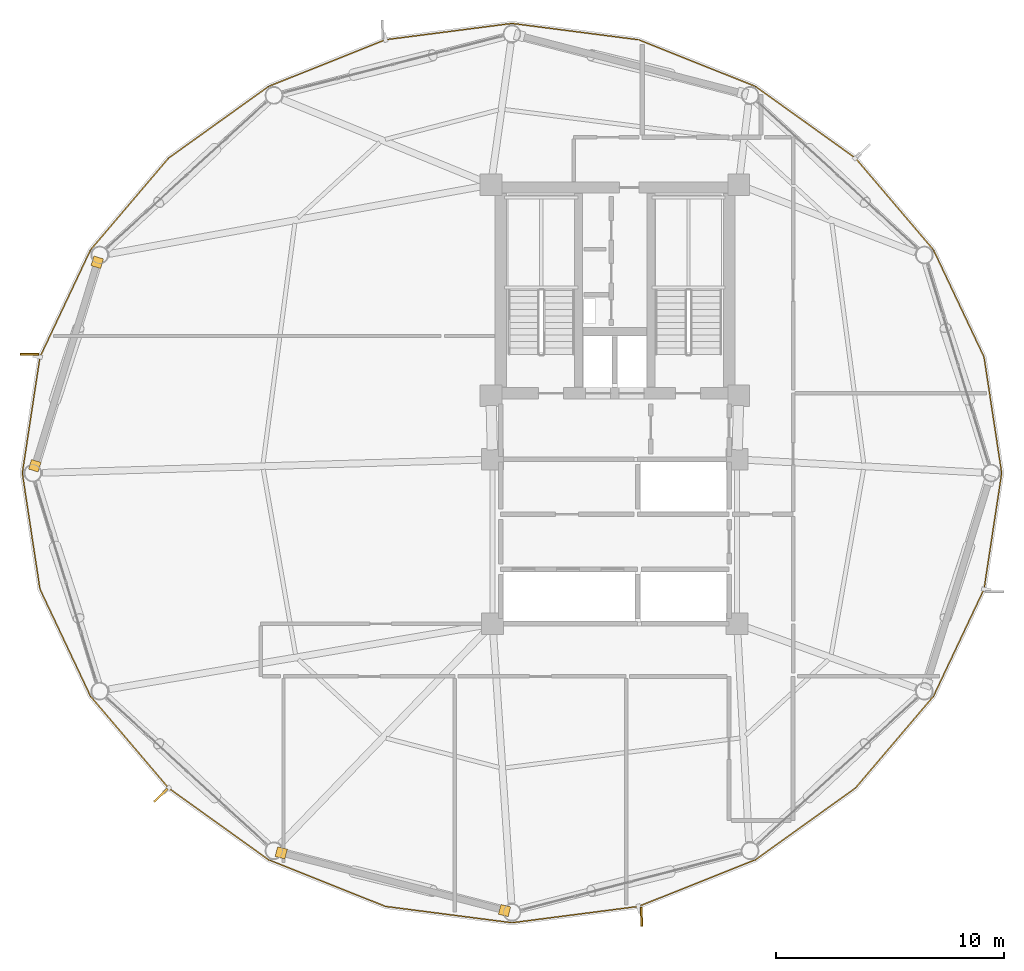
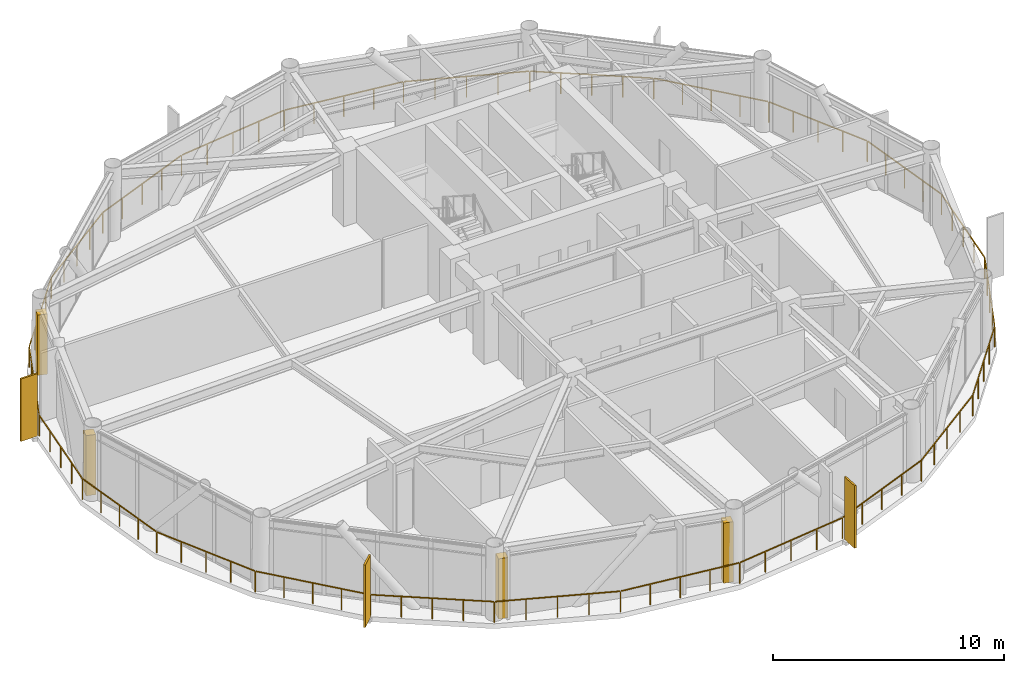
# One storey, part 24 of 26: 4 coverings, 3 shading devices, 1 railing.
"""IFC4 building model written with IfcOpenShell, lengths in metres."""

from ifc_helpers import new_model, si_unit, direction, frame, origin, origin_2d, place, context, subcontext, project, spatial, rectangle, extrude, source, transform, mapped, material, layer, layer_set, type_object, type_shapes, element, save


model = new_model("IFC4")

# Units and contexts
model_context = context("Model", 3, precision=1e-05, world=origin(), true_north=direction((0.0, 1.0)))
body_context = subcontext(model_context, "Body", "Model", "MODEL_VIEW")
ifc_project = project(units=[si_unit("LENGTHUNIT", "METRE"), si_unit("AREAUNIT", "SQUARE_METRE"), si_unit("VOLUMEUNIT", "CUBIC_METRE"), si_unit("PLANEANGLEUNIT", "RADIAN"), si_unit("MASSUNIT", "GRAM", prefix="KILO")], contexts=[model_context])

# Site, building, storey
site_placement = place(None, origin())
site = spatial("IfcSite", under=ifc_project, at=site_placement, CompositionType="ELEMENT")
building_placement = place(site_placement, origin())
building = spatial("IfcBuilding", under=site, at=building_placement, Name="Varnakorn Sky Granary", CompositionType="ELEMENT")
storey_placement = place(building_placement, frame((0.0, 0.0, 138.300048828125)))
storey = spatial("IfcBuildingStorey", under=building, at=storey_placement, Name="L34", CompositionType="ELEMENT", Elevation=138.300048828125)

# Railing
ifc_material = material(Name="Anodised Bronze Aluminium Alloy 6063-T6", Category="aluminium")
railing_type = type_object("IfcRailingType", Name="RL-BAL-1120", PredefinedType="BALUSTRADE", material=ifc_material)
railing_placement = place(storey_placement, frame((19.931884765625, 0.0, 0.0)))
element("IfcRailing", 1, at=railing_placement, inside=storey, type_object=railing_type, Name="Perimeter Slab-Edge Safety Guard L34", PredefinedType="BALUSTRADE", context=body_context, shape_type="SweptSolid", body=[
    extrude(rectangle(XDim=0.048095703125, YDim=0.048095703125, at=origin_2d()), frame((-0.004150390625, -0.027587890625, 1.09619140625), z_axis=(-0.150417762301, -0.988622524923, 0.0), x_axis=(0.988622524923, -0.150417762301, 0.0)), (0.0, 0.0, 1.0), 5.0810546875),
    extrude(rectangle(XDim=0.048095703125, YDim=0.048095703125, at=origin_2d()), frame((-0.78466796875, -5.10400390625, 1.09619140625), z_axis=(-0.426740020684, -0.904374344365, 0.0), x_axis=(0.904374344365, -0.426740020684, 0.0)), (0.0, 0.0, 1.0), 5.129638671875),
    extrude(rectangle(XDim=0.048095703125, YDim=0.048095703125, at=origin_2d()), frame((-3.003662109375, -9.78955078125, 1.09619140625), z_axis=(-0.647712926262, -0.761884482814, 0.0), x_axis=(0.761884482814, -0.647712926262, 0.0)), (0.0, 0.0, 1.0), 5.21728515625),
    extrude(rectangle(XDim=0.048095703125, YDim=0.048095703125, at=origin_2d()), frame((-6.423828125, -13.80224609375, 1.09619140625), z_axis=(-0.812768147694, -0.582587279379, 0.0), x_axis=(0.582587279379, -0.812768147694, 0.0)), (0.0, 0.0, 1.0), 5.333251953125),
    extrude(rectangle(XDim=0.048095703125, YDim=0.048095703125, at=origin_2d()), frame((-10.807373046875, -16.935791015625, 1.09619140625), z_axis=(-0.928821814119, -0.370526702974, 0.0), x_axis=(0.370526702974, -0.928821814119, 0.0)), (0.0, 0.0, 1.0), 5.450439453125),
    extrude(rectangle(XDim=0.048095703125, YDim=0.048095703125, at=origin_2d()), frame((-15.923583984375, -18.969482421875, 1.09619140625), z_axis=(-0.991777508498, -0.127974113153, 0.0), x_axis=(0.127974113153, -0.991777508498, 0.0)), (0.0, 0.0, 1.0), 5.526123046875),
    extrude(rectangle(XDim=0.048095703125, YDim=0.048095703125, at=origin_2d()), frame((-21.459716796875, -19.676513671875, 1.09619140625), z_axis=(-0.991777508498, 0.127974113153, 0.0), x_axis=(-0.127974113153, -0.991777508498, 0.0)), (0.0, 0.0, 1.0), 5.526123046875),
    extrude(rectangle(XDim=0.048095703125, YDim=0.048095703125, at=origin_2d()), frame((-26.994140625, -18.95556640625, 1.09619140625), z_axis=(-0.928821814119, 0.370526702974, 0.0), x_axis=(-0.370526702974, -0.928821814119, 0.0)), (0.0, 0.0, 1.0), 5.450439453125),
    extrude(rectangle(XDim=0.048095703125, YDim=0.048095703125, at=origin_2d()), frame((-32.105224609375, -16.9091796875, 1.09619140625), z_axis=(-0.812768147694, 0.582587279379, 0.0), x_axis=(-0.582587279379, -0.812768147694, 0.0)), (0.0, 0.0, 1.0), 5.333251953125),
    extrude(rectangle(XDim=0.048095703125, YDim=0.048095703125, at=origin_2d()), frame((-36.480712890625, -13.7646484375, 1.09619140625), z_axis=(-0.647712926262, 0.761884482814, 0.0), x_axis=(-0.761884482814, -0.647712926262, 0.0)), (0.0, 0.0, 1.0), 5.21728515625),
    extrude(rectangle(XDim=0.048095703125, YDim=0.048095703125, at=origin_2d()), frame((-39.89013671875, -9.742919921875, 1.09619140625), z_axis=(-0.426740020684, 0.904374344365, 0.0), x_axis=(-0.904374344365, -0.426740020684, 0.0)), (0.0, 0.0, 1.0), 5.129638671875),
    extrude(rectangle(XDim=0.048095703125, YDim=0.048095703125, at=origin_2d()), frame((-42.09521484375, -5.051025390625, 1.09619140625), z_axis=(-0.150417762301, 0.988622524923, 0.0), x_axis=(-0.988622524923, -0.150417762301, 0.0)), (0.0, 0.0, 1.0), 5.0810546875),
    extrude(rectangle(XDim=0.048095703125, YDim=0.048095703125, at=origin_2d()), frame((-42.859619140625, 0.027587890625, 1.09619140625), z_axis=(0.150417762301, 0.988622524923, 0.0), x_axis=(-0.988622524923, 0.150417762301, 0.0)), (0.0, 0.0, 1.0), 5.0810546875),
    extrude(rectangle(XDim=0.048095703125, YDim=0.048095703125, at=origin_2d()), frame((-42.0791015625, 5.10400390625, 1.09619140625), z_axis=(0.426740020684, 0.904374344365, 0.0), x_axis=(-0.904374344365, 0.426740020684, 0.0)), (0.0, 0.0, 1.0), 5.129638671875),
    extrude(rectangle(XDim=0.048095703125, YDim=0.048095703125, at=origin_2d()), frame((-39.860107421875, 9.78955078125, 1.09619140625), z_axis=(0.647712926262, 0.761884482814, 0.0), x_axis=(-0.761884482814, 0.647712926262, 0.0)), (0.0, 0.0, 1.0), 5.21728515625),
    extrude(rectangle(XDim=0.048095703125, YDim=0.048095703125, at=origin_2d()), frame((-36.43994140625, 13.80224609375, 1.09619140625), z_axis=(0.812768147694, 0.582587279379, 0.0), x_axis=(-0.582587279379, 0.812768147694, 0.0)), (0.0, 0.0, 1.0), 5.333251953125),
    extrude(rectangle(XDim=0.048095703125, YDim=0.048095703125, at=origin_2d()), frame((-32.056396484375, 16.935791015625, 1.09619140625), z_axis=(0.928821814119, 0.370526702974, 0.0), x_axis=(-0.370526702974, 0.928821814119, 0.0)), (0.0, 0.0, 1.0), 5.450439453125),
    extrude(rectangle(XDim=0.048095703125, YDim=0.048095703125, at=origin_2d()), frame((-26.940185546875, 18.969482421875, 1.09619140625), z_axis=(0.991777508498, 0.127974113153, 0.0), x_axis=(-0.127974113153, 0.991777508498, 0.0)), (0.0, 0.0, 1.0), 5.526123046875),
    extrude(rectangle(XDim=0.048095703125, YDim=0.048095703125, at=origin_2d()), frame((-21.404052734375, 19.676513671875, 1.09619140625), z_axis=(0.991777508498, -0.127974113153, 0.0), x_axis=(0.127974113153, 0.991777508498, 0.0)), (0.0, 0.0, 1.0), 5.526123046875),
    extrude(rectangle(XDim=0.048095703125, YDim=0.048095703125, at=origin_2d()), frame((-15.86962890625, 18.95556640625, 1.09619140625), z_axis=(0.928821814119, -0.370526702974, 0.0), x_axis=(0.370526702974, 0.928821814119, 0.0)), (0.0, 0.0, 1.0), 5.450439453125),
    extrude(rectangle(XDim=0.048095703125, YDim=0.048095703125, at=origin_2d()), frame((-10.758544921875, 16.9091796875, 1.09619140625), z_axis=(0.812768147694, -0.582587279379, 0.0), x_axis=(0.582587279379, 0.812768147694, 0.0)), (0.0, 0.0, 1.0), 5.333251953125),
    extrude(rectangle(XDim=0.048095703125, YDim=0.048095703125, at=origin_2d()), frame((-6.383056640625, 13.7646484375, 1.09619140625), z_axis=(0.647712926262, -0.761884482814, 0.0), x_axis=(0.761884482814, 0.647712926262, 0.0)), (0.0, 0.0, 1.0), 5.21728515625),
    extrude(rectangle(XDim=0.048095703125, YDim=0.048095703125, at=origin_2d()), frame((-2.9736328125, 9.742919921875, 1.09619140625), z_axis=(0.426740020684, -0.904374344365, 0.0), x_axis=(0.904374344365, 0.426740020684, 0.0)), (0.0, 0.0, 1.0), 5.129638671875),
    extrude(rectangle(XDim=0.048095703125, YDim=0.048095703125, at=origin_2d()), frame((-0.7685546875, 5.051025390625, 1.09619140625), z_axis=(0.150417762301, -0.988622524923, 0.0), x_axis=(0.988622524923, 0.150417762301, 0.0)), (0.0, 0.0, 1.0), 5.0810546875),
    extrude(rectangle(XDim=0.0419921875, YDim=0.0419921875, at=origin_2d()), origin(), (0.0, 0.0, 1.0), 1.068115234375),
    extrude(rectangle(XDim=0.0419921875, YDim=0.0419921875, at=origin_2d()), frame((-0.193115234375, -1.26953125, 0.0)), (0.0, 0.0, 1.0), 1.068115234375),
    extrude(rectangle(XDim=0.0419921875, YDim=0.0419921875, at=origin_2d()), frame((-0.38623046875, -2.539306640625, 0.0)), (0.0, 0.0, 1.0), 1.068115234375),
    extrude(rectangle(XDim=0.0419921875, YDim=0.0419921875, at=origin_2d()), frame((-0.57958984375, -3.80908203125, 0.0)), (0.0, 0.0, 1.0), 1.068115234375),
    extrude(rectangle(XDim=0.0419921875, YDim=0.0419921875, at=origin_2d()), frame((-0.772705078125, -5.07861328125, 0.0)), (0.0, 0.0, 1.0), 1.068115234375),
    extrude(rectangle(XDim=0.0419921875, YDim=0.0419921875, at=origin_2d()), frame((-1.325927734375, -6.2509765625, 0.0)), (0.0, 0.0, 1.0), 1.068115234375),
    extrude(rectangle(XDim=0.0419921875, YDim=0.0419921875, at=origin_2d()), frame((-1.879150390625, -7.42333984375, 0.0)), (0.0, 0.0, 1.0), 1.068115234375),
    extrude(rectangle(XDim=0.0419921875, YDim=0.0419921875, at=origin_2d()), frame((-2.432373046875, -8.595947265625, 0.0)), (0.0, 0.0, 1.0), 1.068115234375),
    extrude(rectangle(XDim=0.0419921875, YDim=0.0419921875, at=origin_2d()), frame((-2.985595703125, -9.768310546875, 0.0)), (0.0, 0.0, 1.0), 1.068115234375),
    extrude(rectangle(XDim=0.0419921875, YDim=0.0419921875, at=origin_2d()), frame((-3.83935546875, -10.772705078125, 0.0)), (0.0, 0.0, 1.0), 1.068115234375),
    extrude(rectangle(XDim=0.0419921875, YDim=0.0419921875, at=origin_2d()), frame((-4.693359375, -11.777099609375, 0.0)), (0.0, 0.0, 1.0), 1.068115234375),
    extrude(rectangle(XDim=0.0419921875, YDim=0.0419921875, at=origin_2d()), frame((-5.54736328125, -12.781494140625, 0.0)), (0.0, 0.0, 1.0), 1.068115234375),
    extrude(rectangle(XDim=0.0419921875, YDim=0.0419921875, at=origin_2d()), frame((-6.401123046875, -13.785888671875, 0.0)), (0.0, 0.0, 1.0), 1.068115234375),
    extrude(rectangle(XDim=0.0419921875, YDim=0.0419921875, at=origin_2d()), frame((-7.49609375, -14.57080078125, 0.0)), (0.0, 0.0, 1.0), 1.068115234375),
    extrude(rectangle(XDim=0.0419921875, YDim=0.0419921875, at=origin_2d()), frame((-8.59130859375, -15.355712890625, 0.0)), (0.0, 0.0, 1.0), 1.068115234375),
    extrude(rectangle(XDim=0.0419921875, YDim=0.0419921875, at=origin_2d()), frame((-9.686279296875, -16.140625, 0.0)), (0.0, 0.0, 1.0), 1.068115234375),
    extrude(rectangle(XDim=0.0419921875, YDim=0.0419921875, at=origin_2d()), frame((-10.78125, -16.925537109375, 0.0)), (0.0, 0.0, 1.0), 1.068115234375),
    extrude(rectangle(XDim=0.0419921875, YDim=0.0419921875, at=origin_2d()), frame((-12.059814453125, -17.435546875, 0.0)), (0.0, 0.0, 1.0), 1.068115234375),
    extrude(rectangle(XDim=0.0419921875, YDim=0.0419921875, at=origin_2d()), frame((-13.33837890625, -17.94580078125, 0.0)), (0.0, 0.0, 1.0), 1.068115234375),
    extrude(rectangle(XDim=0.0419921875, YDim=0.0419921875, at=origin_2d()), frame((-14.6171875, -18.455810546875, 0.0)), (0.0, 0.0, 1.0), 1.068115234375),
    extrude(rectangle(XDim=0.0419921875, YDim=0.0419921875, at=origin_2d()), frame((-15.895751953125, -18.9658203125, 0.0)), (0.0, 0.0, 1.0), 1.068115234375),
    extrude(rectangle(XDim=0.0419921875, YDim=0.0419921875, at=origin_2d()), frame((-17.27978515625, -19.14453125, 0.0)), (0.0, 0.0, 1.0), 1.068115234375),
    extrude(rectangle(XDim=0.0419921875, YDim=0.0419921875, at=origin_2d()), frame((-18.663818359375, -19.322998046875, 0.0)), (0.0, 0.0, 1.0), 1.068115234375),
    extrude(rectangle(XDim=0.0419921875, YDim=0.0419921875, at=origin_2d()), frame((-20.0478515625, -19.50146484375, 0.0)), (0.0, 0.0, 1.0), 1.068115234375),
    extrude(rectangle(XDim=0.0419921875, YDim=0.0419921875, at=origin_2d()), frame((-21.431884765625, -19.68017578125, 0.0)), (0.0, 0.0, 1.0), 1.068115234375),
    extrude(rectangle(XDim=0.0419921875, YDim=0.0419921875, at=origin_2d()), frame((-22.81591796875, -19.50146484375, 0.0)), (0.0, 0.0, 1.0), 1.068115234375),
    extrude(rectangle(XDim=0.0419921875, YDim=0.0419921875, at=origin_2d()), frame((-24.199951171875, -19.322998046875, 0.0)), (0.0, 0.0, 1.0), 1.068115234375),
    extrude(rectangle(XDim=0.0419921875, YDim=0.0419921875, at=origin_2d()), frame((-25.583984375, -19.14453125, 0.0)), (0.0, 0.0, 1.0), 1.068115234375),
    extrude(rectangle(XDim=0.0419921875, YDim=0.0419921875, at=origin_2d()), frame((-26.968017578125, -18.9658203125, 0.0)), (0.0, 0.0, 1.0), 1.068115234375),
    extrude(rectangle(XDim=0.0419921875, YDim=0.0419921875, at=origin_2d()), frame((-28.24658203125, -18.455810546875, 0.0)), (0.0, 0.0, 1.0), 1.068115234375),
    extrude(rectangle(XDim=0.0419921875, YDim=0.0419921875, at=origin_2d()), frame((-29.525390625, -17.94580078125, 0.0)), (0.0, 0.0, 1.0), 1.068115234375),
    extrude(rectangle(XDim=0.0419921875, YDim=0.0419921875, at=origin_2d()), frame((-30.803955078125, -17.435546875, 0.0)), (0.0, 0.0, 1.0), 1.068115234375),
    extrude(rectangle(XDim=0.0419921875, YDim=0.0419921875, at=origin_2d()), frame((-32.08251953125, -16.925537109375, 0.0)), (0.0, 0.0, 1.0), 1.068115234375),
    extrude(rectangle(XDim=0.0419921875, YDim=0.0419921875, at=origin_2d()), frame((-33.177490234375, -16.140625, 0.0)), (0.0, 0.0, 1.0), 1.068115234375),
    extrude(rectangle(XDim=0.0419921875, YDim=0.0419921875, at=origin_2d()), frame((-34.2724609375, -15.355712890625, 0.0)), (0.0, 0.0, 1.0), 1.068115234375),
    extrude(rectangle(XDim=0.0419921875, YDim=0.0419921875, at=origin_2d()), frame((-35.36767578125, -14.57080078125, 0.0)), (0.0, 0.0, 1.0), 1.068115234375),
    extrude(rectangle(XDim=0.0419921875, YDim=0.0419921875, at=origin_2d()), frame((-36.462646484375, -13.785888671875, 0.0)), (0.0, 0.0, 1.0), 1.068115234375),
    extrude(rectangle(XDim=0.0419921875, YDim=0.0419921875, at=origin_2d()), frame((-37.31640625, -12.781494140625, 0.0)), (0.0, 0.0, 1.0), 1.068115234375),
    extrude(rectangle(XDim=0.0419921875, YDim=0.0419921875, at=origin_2d()), frame((-38.17041015625, -11.777099609375, 0.0)), (0.0, 0.0, 1.0), 1.068115234375),
    extrude(rectangle(XDim=0.0419921875, YDim=0.0419921875, at=origin_2d()), frame((-39.0244140625, -10.772705078125, 0.0)), (0.0, 0.0, 1.0), 1.068115234375),
    extrude(rectangle(XDim=0.0419921875, YDim=0.0419921875, at=origin_2d()), frame((-39.878173828125, -9.768310546875, 0.0)), (0.0, 0.0, 1.0), 1.068115234375),
    extrude(rectangle(XDim=0.0419921875, YDim=0.0419921875, at=origin_2d()), frame((-40.431396484375, -8.595947265625, 0.0)), (0.0, 0.0, 1.0), 1.068115234375),
    extrude(rectangle(XDim=0.0419921875, YDim=0.0419921875, at=origin_2d()), frame((-40.984619140625, -7.42333984375, 0.0)), (0.0, 0.0, 1.0), 1.068115234375),
    extrude(rectangle(XDim=0.0419921875, YDim=0.0419921875, at=origin_2d()), frame((-41.537841796875, -6.2509765625, 0.0)), (0.0, 0.0, 1.0), 1.068115234375),
    extrude(rectangle(XDim=0.0419921875, YDim=0.0419921875, at=origin_2d()), frame((-42.091064453125, -5.07861328125, 0.0)), (0.0, 0.0, 1.0), 1.068115234375),
    extrude(rectangle(XDim=0.0419921875, YDim=0.0419921875, at=origin_2d()), frame((-42.2841796875, -3.80908203125, 0.0)), (0.0, 0.0, 1.0), 1.068115234375),
    extrude(rectangle(XDim=0.0419921875, YDim=0.0419921875, at=origin_2d()), frame((-42.4775390625, -2.539306640625, 0.0)), (0.0, 0.0, 1.0), 1.068115234375),
    extrude(rectangle(XDim=0.0419921875, YDim=0.0419921875, at=origin_2d()), frame((-42.670654296875, -1.26953125, 0.0)), (0.0, 0.0, 1.0), 1.068115234375),
    extrude(rectangle(XDim=0.0419921875, YDim=0.0419921875, at=origin_2d()), frame((-42.86376953125, 0.0, 0.0)), (0.0, 0.0, 1.0), 1.068115234375),
    extrude(rectangle(XDim=0.0419921875, YDim=0.0419921875, at=origin_2d()), frame((-42.670654296875, 1.26953125, 0.0)), (0.0, 0.0, 1.0), 1.068115234375),
    extrude(rectangle(XDim=0.0419921875, YDim=0.0419921875, at=origin_2d()), frame((-42.4775390625, 2.539306640625, 0.0)), (0.0, 0.0, 1.0), 1.068115234375),
    extrude(rectangle(XDim=0.0419921875, YDim=0.0419921875, at=origin_2d()), frame((-42.2841796875, 3.80908203125, 0.0)), (0.0, 0.0, 1.0), 1.068115234375),
    extrude(rectangle(XDim=0.0419921875, YDim=0.0419921875, at=origin_2d()), frame((-42.091064453125, 5.07861328125, 0.0)), (0.0, 0.0, 1.0), 1.068115234375),
    extrude(rectangle(XDim=0.0419921875, YDim=0.0419921875, at=origin_2d()), frame((-41.537841796875, 6.2509765625, 0.0)), (0.0, 0.0, 1.0), 1.068115234375),
    extrude(rectangle(XDim=0.0419921875, YDim=0.0419921875, at=origin_2d()), frame((-40.984619140625, 7.42333984375, 0.0)), (0.0, 0.0, 1.0), 1.068115234375),
    extrude(rectangle(XDim=0.0419921875, YDim=0.0419921875, at=origin_2d()), frame((-40.431396484375, 8.595947265625, 0.0)), (0.0, 0.0, 1.0), 1.068115234375),
    extrude(rectangle(XDim=0.0419921875, YDim=0.0419921875, at=origin_2d()), frame((-39.878173828125, 9.768310546875, 0.0)), (0.0, 0.0, 1.0), 1.068115234375),
    extrude(rectangle(XDim=0.0419921875, YDim=0.0419921875, at=origin_2d()), frame((-39.0244140625, 10.772705078125, 0.0)), (0.0, 0.0, 1.0), 1.068115234375),
    extrude(rectangle(XDim=0.0419921875, YDim=0.0419921875, at=origin_2d()), frame((-38.17041015625, 11.777099609375, 0.0)), (0.0, 0.0, 1.0), 1.068115234375),
    extrude(rectangle(XDim=0.0419921875, YDim=0.0419921875, at=origin_2d()), frame((-37.31640625, 12.781494140625, 0.0)), (0.0, 0.0, 1.0), 1.068115234375),
    extrude(rectangle(XDim=0.0419921875, YDim=0.0419921875, at=origin_2d()), frame((-36.462646484375, 13.785888671875, 0.0)), (0.0, 0.0, 1.0), 1.068115234375),
    extrude(rectangle(XDim=0.0419921875, YDim=0.0419921875, at=origin_2d()), frame((-35.36767578125, 14.57080078125, 0.0)), (0.0, 0.0, 1.0), 1.068115234375),
    extrude(rectangle(XDim=0.0419921875, YDim=0.0419921875, at=origin_2d()), frame((-34.2724609375, 15.355712890625, 0.0)), (0.0, 0.0, 1.0), 1.068115234375),
    extrude(rectangle(XDim=0.0419921875, YDim=0.0419921875, at=origin_2d()), frame((-33.177490234375, 16.140625, 0.0)), (0.0, 0.0, 1.0), 1.068115234375),
    extrude(rectangle(XDim=0.0419921875, YDim=0.0419921875, at=origin_2d()), frame((-32.08251953125, 16.925537109375, 0.0)), (0.0, 0.0, 1.0), 1.068115234375),
    extrude(rectangle(XDim=0.0419921875, YDim=0.0419921875, at=origin_2d()), frame((-30.803955078125, 17.435546875, 0.0)), (0.0, 0.0, 1.0), 1.068115234375),
    extrude(rectangle(XDim=0.0419921875, YDim=0.0419921875, at=origin_2d()), frame((-29.525390625, 17.94580078125, 0.0)), (0.0, 0.0, 1.0), 1.068115234375),
    extrude(rectangle(XDim=0.0419921875, YDim=0.0419921875, at=origin_2d()), frame((-28.24658203125, 18.455810546875, 0.0)), (0.0, 0.0, 1.0), 1.068115234375),
    extrude(rectangle(XDim=0.0419921875, YDim=0.0419921875, at=origin_2d()), frame((-26.968017578125, 18.9658203125, 0.0)), (0.0, 0.0, 1.0), 1.068115234375),
    extrude(rectangle(XDim=0.0419921875, YDim=0.0419921875, at=origin_2d()), frame((-25.583984375, 19.14453125, 0.0)), (0.0, 0.0, 1.0), 1.068115234375),
    extrude(rectangle(XDim=0.0419921875, YDim=0.0419921875, at=origin_2d()), frame((-24.199951171875, 19.322998046875, 0.0)), (0.0, 0.0, 1.0), 1.068115234375),
    extrude(rectangle(XDim=0.0419921875, YDim=0.0419921875, at=origin_2d()), frame((-22.81591796875, 19.50146484375, 0.0)), (0.0, 0.0, 1.0), 1.068115234375),
    extrude(rectangle(XDim=0.0419921875, YDim=0.0419921875, at=origin_2d()), frame((-21.431884765625, 19.68017578125, 0.0)), (0.0, 0.0, 1.0), 1.068115234375),
    extrude(rectangle(XDim=0.0419921875, YDim=0.0419921875, at=origin_2d()), frame((-20.0478515625, 19.50146484375, 0.0)), (0.0, 0.0, 1.0), 1.068115234375),
    extrude(rectangle(XDim=0.0419921875, YDim=0.0419921875, at=origin_2d()), frame((-18.663818359375, 19.322998046875, 0.0)), (0.0, 0.0, 1.0), 1.068115234375),
    extrude(rectangle(XDim=0.0419921875, YDim=0.0419921875, at=origin_2d()), frame((-17.27978515625, 19.14453125, 0.0)), (0.0, 0.0, 1.0), 1.068115234375),
    extrude(rectangle(XDim=0.0419921875, YDim=0.0419921875, at=origin_2d()), frame((-15.895751953125, 18.9658203125, 0.0)), (0.0, 0.0, 1.0), 1.068115234375),
    extrude(rectangle(XDim=0.0419921875, YDim=0.0419921875, at=origin_2d()), frame((-14.6171875, 18.455810546875, 0.0)), (0.0, 0.0, 1.0), 1.068115234375),
    extrude(rectangle(XDim=0.0419921875, YDim=0.0419921875, at=origin_2d()), frame((-13.33837890625, 17.94580078125, 0.0)), (0.0, 0.0, 1.0), 1.068115234375),
    extrude(rectangle(XDim=0.0419921875, YDim=0.0419921875, at=origin_2d()), frame((-12.059814453125, 17.435546875, 0.0)), (0.0, 0.0, 1.0), 1.068115234375),
    extrude(rectangle(XDim=0.0419921875, YDim=0.0419921875, at=origin_2d()), frame((-10.78125, 16.925537109375, 0.0)), (0.0, 0.0, 1.0), 1.068115234375),
    extrude(rectangle(XDim=0.0419921875, YDim=0.0419921875, at=origin_2d()), frame((-9.686279296875, 16.140625, 0.0)), (0.0, 0.0, 1.0), 1.068115234375),
    extrude(rectangle(XDim=0.0419921875, YDim=0.0419921875, at=origin_2d()), frame((-8.59130859375, 15.355712890625, 0.0)), (0.0, 0.0, 1.0), 1.068115234375),
    extrude(rectangle(XDim=0.0419921875, YDim=0.0419921875, at=origin_2d()), frame((-7.49609375, 14.57080078125, 0.0)), (0.0, 0.0, 1.0), 1.068115234375),
    extrude(rectangle(XDim=0.0419921875, YDim=0.0419921875, at=origin_2d()), frame((-6.401123046875, 13.785888671875, 0.0)), (0.0, 0.0, 1.0), 1.068115234375),
    extrude(rectangle(XDim=0.0419921875, YDim=0.0419921875, at=origin_2d()), frame((-5.54736328125, 12.781494140625, 0.0)), (0.0, 0.0, 1.0), 1.068115234375),
    extrude(rectangle(XDim=0.0419921875, YDim=0.0419921875, at=origin_2d()), frame((-4.693359375, 11.777099609375, 0.0)), (0.0, 0.0, 1.0), 1.068115234375),
    extrude(rectangle(XDim=0.0419921875, YDim=0.0419921875, at=origin_2d()), frame((-3.83935546875, 10.772705078125, 0.0)), (0.0, 0.0, 1.0), 1.068115234375),
    extrude(rectangle(XDim=0.0419921875, YDim=0.0419921875, at=origin_2d()), frame((-2.985595703125, 9.768310546875, 0.0)), (0.0, 0.0, 1.0), 1.068115234375),
    extrude(rectangle(XDim=0.0419921875, YDim=0.0419921875, at=origin_2d()), frame((-2.432373046875, 8.595947265625, 0.0)), (0.0, 0.0, 1.0), 1.068115234375),
    extrude(rectangle(XDim=0.0419921875, YDim=0.0419921875, at=origin_2d()), frame((-1.879150390625, 7.42333984375, 0.0)), (0.0, 0.0, 1.0), 1.068115234375),
    extrude(rectangle(XDim=0.0419921875, YDim=0.0419921875, at=origin_2d()), frame((-1.325927734375, 6.2509765625, 0.0)), (0.0, 0.0, 1.0), 1.068115234375),
    extrude(rectangle(XDim=0.0419921875, YDim=0.0419921875, at=origin_2d()), frame((-0.772705078125, 5.07861328125, 0.0)), (0.0, 0.0, 1.0), 1.068115234375),
    extrude(rectangle(XDim=0.0419921875, YDim=0.0419921875, at=origin_2d()), frame((-0.57958984375, 3.80908203125, 0.0)), (0.0, 0.0, 1.0), 1.068115234375),
    extrude(rectangle(XDim=0.0419921875, YDim=0.0419921875, at=origin_2d()), frame((-0.38623046875, 2.539306640625, 0.0)), (0.0, 0.0, 1.0), 1.068115234375),
    extrude(rectangle(XDim=0.0419921875, YDim=0.0419921875, at=origin_2d()), frame((-0.193115234375, 1.26953125, 0.0)), (0.0, 0.0, 1.0), 1.068115234375),
])

# Shading devices
shading_device_type = type_object("IfcShadingDeviceType", Name="SH-FIN-02", PredefinedType="USERDEFINED", material=ifc_material)
shared_shape_1 = source(origin(), body_context, "Body", "SweptSolid", [
    extrude(rectangle(XDim=0.0849609375, YDim=0.820068359375, at=origin_2d()), origin(), (0.0, 0.0, 1.0), 3.300048828125),
])
type_shapes(shading_device_type, [shared_shape_1])
for number, where, z_axis, x_axis, name in (
    (2, (-22.61572265625, 5.194091796875, -0.0400390625), (0.0, 0.0, 1.0), (0.006196233759, -0.999980803159, 0.0), "Bronze Solar-Tracking Vertical Blade FIN L34-06"),
    (3, (-16.875, -14.1064453125, -0.0400390625), (0.0, 0.0, 1.0), (0.693532672374, -0.720425174706, 0.0), "Bronze Solar-Tracking Vertical Blade FIN L34-08"),
    (4, (4.167724609375, -19.41796875, -0.0400390625), (0.0, 0.0, 1.0), (0.998820113094, 0.048563172046, 0.0), "Bronze Solar-Tracking Vertical Blade FIN L34-10"),
):
    element("IfcShadingDevice", number, at=place(storey_placement, frame(where, z_axis=z_axis, x_axis=x_axis)), inside=storey, type_object=shading_device_type, Name=name, ObjectType="FIN", PredefinedType="USERDEFINED", context=body_context, shape_type="MappedRepresentation", body=[
        mapped(shared_shape_1, transform((0.0, 0.0, 0.0), x_axis=(1.0, 0.0, 0.0), y_axis=(0.0, 1.0, 0.0), z_axis=(0.0, 0.0, 1.0), scale=1.0)),
    ])

# Coverings
ifc_layer = layer(ifc_material, 0.050048828125, Name="Anodised Bronze Aluminium Alloy 6063-T6")
ifc_layer_set = layer_set([ifc_layer], Name="Anodised Bronze Aluminium Alloy 6063-T6")
covering_type = type_object("IfcCoveringType", Name="CV-CLAD-50", PredefinedType="CLADDING", material=ifc_layer_set)
shared_shape_2 = source(origin(), body_context, "Body", "SweptSolid", [
    extrude(rectangle(XDim=0.43994140625, YDim=0.43994140625, at=origin_2d()), origin(), (0.0, 0.0, 1.0), 3.179931640625),
])
type_shapes(covering_type, [shared_shape_2])
for number, where, z_axis, x_axis, name in (
    (5, (-22.384521484375, 0.3212890625, -0.02001953125), (0.0, 0.0, 1.0), (0.293206126622, 0.956049249417, 0.0), "Bronze Corner Pilaster Closure L34-P06-A"),
    (6, (-19.6533203125, 9.226806640625, -0.02001953125), (0.0, 0.0, 1.0), (0.293206126622, 0.956049249417, 0.0), "Bronze Corner Pilaster Closure L34-P06-B"),
    (7, (-1.8251953125, -19.14697265625, -0.02001953125), (0.0, 0.0, 1.0), (-0.968191325187, 0.250211026602, 0.0), "Bronze Corner Pilaster Closure L34-P09-A"),
    (8, (-11.5986328125, -16.62158203125, -0.02001953125), (0.0, 0.0, 1.0), (-0.968191325187, 0.250211026602, 0.0), "Bronze Corner Pilaster Closure L34-P09-B"),
):
    element("IfcCovering", number, at=place(storey_placement, frame(where, z_axis=z_axis, x_axis=x_axis)), inside=storey, type_object=covering_type, Name=name, PredefinedType="CLADDING", context=body_context, shape_type="MappedRepresentation", body=[
        mapped(shared_shape_2, transform((0.0, 0.0, 0.0), x_axis=(1.0, 0.0, 0.0), y_axis=(0.0, 1.0, 0.0), z_axis=(0.0, 0.0, 1.0), scale=1.0)),
    ])

save(model, "model.ifc")
